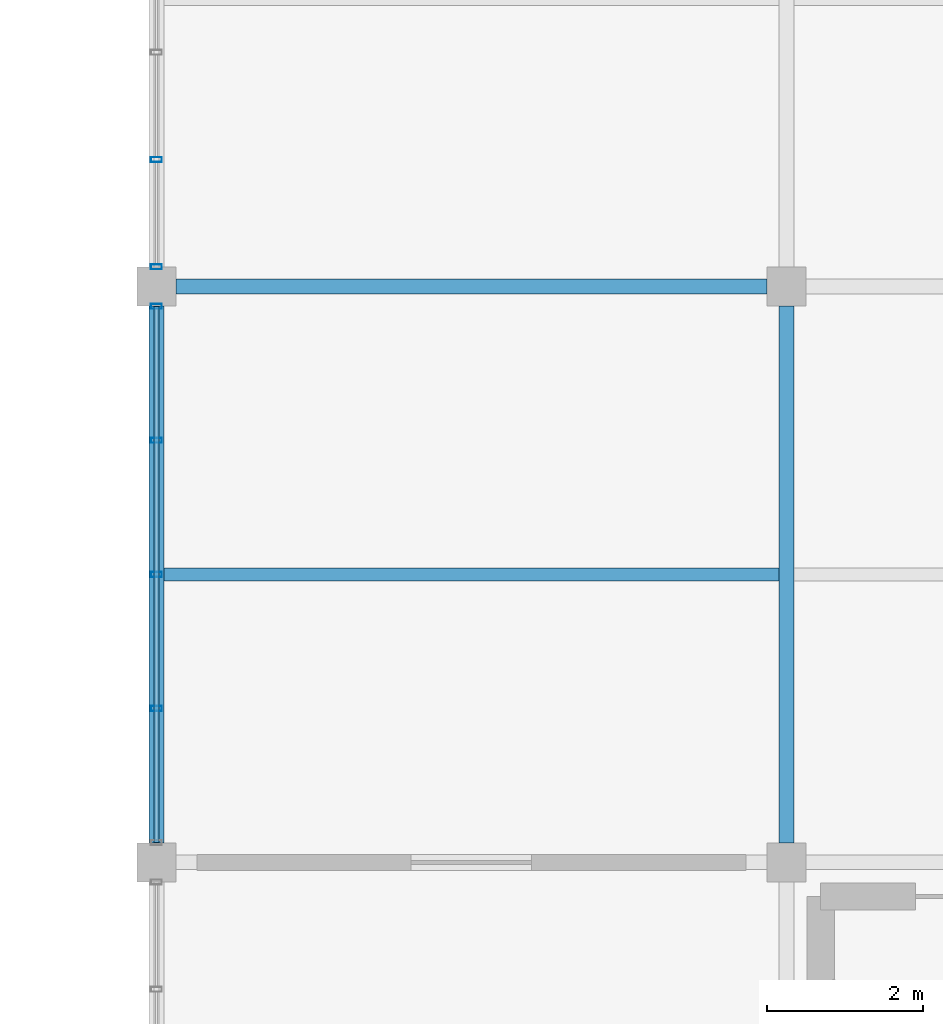
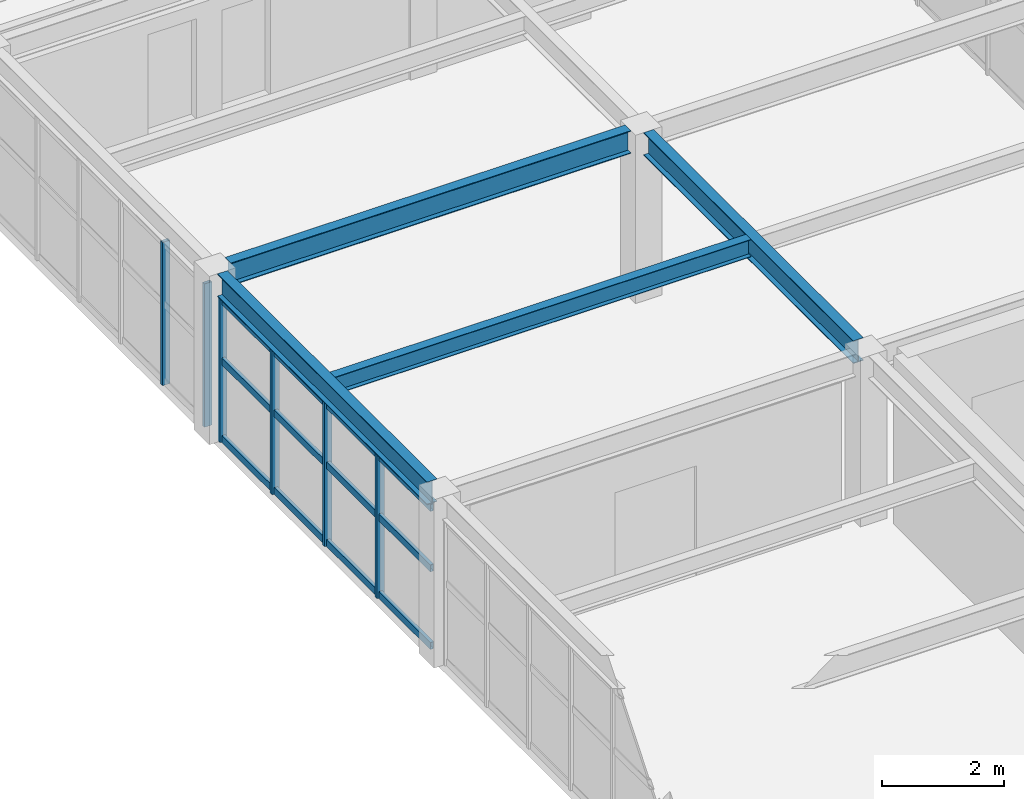
# One storey, part 52 of 93: 9 members, 4 beams, 2 elements without a shape of their own.
"""IFC4 building model written with IfcOpenShell, lengths in metres."""

import ifcopenshell
import ifcopenshell.guid

model = None  # the IFC model being written
_history = None  # IfcOwnerHistory: only IFC2X3 demands one
_inside = {}  # id of a spatial element -> (the spatial element, [elements in it])
_under = {}  # id of a project, library or spatial element -> (it, [spatial elements below it])
_declared = {}  # id of a project -> (the project, [libraries it declares])
_typed = {}  # id of a type object -> (the type object, [elements of that type])
_made_of = {}  # id of a material, layer set ... -> (it, [elements and type objects made of it])


def new_model(schema):
    """Start an empty IFC model of exactly this schema.

    Asked for "IFC4X3", IfcOpenShell would pick the latest addendum, in which some entities
    have other attributes; the version numbers below select the first issue.
    IFC2X3 requires an IfcOwnerHistory on every rooted entity: one is made here for all.
    """
    global model, _history
    if schema == "IFC4X3":
        model = ifcopenshell.file(schema_version=(4, 3, 0, 0))
    else:
        model = ifcopenshell.file(schema=schema)
    _inside.clear()
    _under.clear()
    _declared.clear()
    _typed.clear()
    _made_of.clear()
    _history = None
    if model.schema == "IFC2X3":
        org = make("IfcOrganization", Name="unknown")
        user = make(
            "IfcPersonAndOrganization",
            ThePerson=make("IfcPerson", FamilyName="unknown"),
            TheOrganization=org,
        )
        app = make(
            "IfcApplication",
            ApplicationDeveloper=org,
            Version="unknown",
            ApplicationFullName="unknown",
            ApplicationIdentifier="unknown",
        )
        _history = make(
            "IfcOwnerHistory",
            OwningUser=user,
            OwningApplication=app,
            ChangeAction="ADDED",
            CreationDate=0,
        )
    return model


def make(cls, **values):
    """One entity of the class cls with the attributes given. An attribute that is None is left unset."""
    return model.create_entity(
        cls, **{name: value for name, value in values.items() if value is not None}
    )


def rooted(cls, **values):
    """An entity with a GlobalId (a new one), such as an element, a storey or a relation."""
    return make(cls, GlobalId=ifcopenshell.guid.new(), OwnerHistory=_history, **values)


def si_unit(unit_type, name, prefix=None):
    """IfcSIUnit, for example si_unit("LENGTHUNIT", "METRE", prefix="MILLI")."""
    return make("IfcSIUnit", UnitType=unit_type, Prefix=prefix, Name=name)


def assignment(units):
    """IfcUnitAssignment: the units of a project."""
    return None if units is None else make("IfcUnitAssignment", Units=units)


def point(xyz):
    """IfcCartesianPoint."""
    return None if xyz is None else make("IfcCartesianPoint", Coordinates=xyz)


def direction(xyz):
    """IfcDirection."""
    return None if xyz is None else make("IfcDirection", DirectionRatios=xyz)


def frame(location, z_axis=None, x_axis=None):
    """IfcAxis2Placement3D, a coordinate frame: its origin and axes. An axis left out is left unset."""
    return make(
        "IfcAxis2Placement3D",
        Location=point(location),
        Axis=direction(z_axis),
        RefDirection=direction(x_axis),
    )


def frame_2d(location, x_axis=None):
    """IfcAxis2Placement2D, a coordinate frame in the plane: its origin and x axis."""
    return make(
        "IfcAxis2Placement2D", Location=point(location), RefDirection=direction(x_axis)
    )


def origin():
    """The frame at (0, 0, 0) with its axes left unset."""
    return frame((0.0, 0.0, 0.0))


def origin_2d():
    """The frame at (0, 0) in the plane with its x axis left unset."""
    return frame_2d((0.0, 0.0))


def place(relative_to, where):
    """IfcLocalPlacement: puts the frame where relative to a parent placement (None: the world)."""
    return make(
        "IfcLocalPlacement", PlacementRelTo=relative_to, RelativePlacement=where
    )


def context(
    kind, dimensions, precision=None, world=None, true_north=None, identifier=None
):
    """IfcGeometricRepresentationContext, for example the 3D "Model" context."""
    return make(
        "IfcGeometricRepresentationContext",
        ContextIdentifier=identifier,
        ContextType=kind,
        CoordinateSpaceDimension=dimensions,
        Precision=precision,
        WorldCoordinateSystem=world,
        TrueNorth=true_north,
    )


def subcontext(parent, identifier, kind, view, scale=None):
    """IfcGeometricRepresentationSubContext, for example "Body" below "Model"."""
    return make(
        "IfcGeometricRepresentationSubContext",
        ContextIdentifier=identifier,
        ContextType=kind,
        ParentContext=parent,
        TargetScale=scale,
        TargetView=view,
    )


def project(units=None, contexts=None):
    """IfcProject with its units and contexts."""
    return rooted(
        "IfcProject",
        Name="project",
        RepresentationContexts=contexts,
        UnitsInContext=assignment(units),
    )


def spatial(cls, under=None, at=None, **own):
    """A site, building, storey or space (cls), placed at a placement, below another one or the project."""
    s = rooted(cls, ObjectPlacement=at, **own)
    if under is not None:
        _under.setdefault(under.id(), (under, []))[1].append(s)
    return s


def profile(cls, at=None, kind="AREA", **sizes):
    """A parametric profile (cls). Its sizes go by their IFC names, for example OverallWidth=200.0."""
    return make(cls, ProfileType=kind, Position=at, **sizes)


def hollow_rectangle(**sizes):
    """IfcRectangleHollowProfileDef."""
    return profile("IfcRectangleHollowProfileDef", **sizes)


def i_section(**sizes):
    """IfcIShapeProfileDef."""
    return profile("IfcIShapeProfileDef", **sizes)


def extrude(swept, where, along, depth):
    """IfcExtrudedAreaSolid: the profile swept, set in the frame where, extruded along a direction by depth."""
    return make(
        "IfcExtrudedAreaSolid",
        SweptArea=swept,
        Position=where,
        ExtrudedDirection=direction(along),
        Depth=depth,
    )


def shape(context_of_items, identifier, shape_type, items):
    """IfcShapeRepresentation: the items that make up one representation, for example the "Body"."""
    return make(
        "IfcShapeRepresentation",
        ContextOfItems=context_of_items,
        RepresentationIdentifier=identifier,
        RepresentationType=shape_type,
        Items=items,
    )


def material(Name=None, Category=None):
    """IfcMaterial."""
    return make("IfcMaterial", Name=Name, Category=Category)


def material_profile(
    of_material, cross_section, Name=None, Category=None, Priority=None
):
    """IfcMaterialProfile: a cross section and its material."""
    return make(
        "IfcMaterialProfile",
        Name=Name,
        Material=of_material,
        Profile=cross_section,
        Priority=Priority,
        Category=Category,
    )


def profile_set(profiles, Name=None, composite=None):
    """IfcMaterialProfileSet."""
    return make(
        "IfcMaterialProfileSet",
        Name=Name,
        MaterialProfiles=profiles,
        CompositeProfile=composite,
    )


def made_of(thing, what):
    """Note that an element or type object is made of a material, layer set ...; save() writes the relation."""
    if what is not None:
        _made_of.setdefault(what.id(), (what, []))[1].append(thing)
    return thing


def type_object(cls, material=None, **own):
    """A type object (cls), such as IfcWallType, which elements share."""
    return made_of(rooted(cls, **own), material)


def element(
    cls,
    number,
    at=None,
    inside=None,
    cuts=None,
    type_object=None,
    material=None,
    context=None,
    identifier="Body",
    shape_type=None,
    held_by="IfcProductDefinitionShape",
    body=None,
    shapes=None,
    **own,
):
    """One element of the class cls, such as IfcWall. Its Tag is "e" and its number.

    at: its placement. inside: the storey or other place that contains it. cuts: it is an
    opening in that element (IfcRelVoidsElement). A single representation is given by context,
    identifier, shape_type and body (its items); several are given by shapes. held_by: the class
    of the entity that holds the representations. save() writes the other relations.
    """
    e = rooted(cls, Tag="e%d" % number, ObjectPlacement=at, **own)
    if body is not None:
        shapes = [shape(context, identifier, shape_type, body)]
    if shapes is not None:
        e.Representation = make(held_by, Representations=shapes)
    if inside is not None:
        _inside.setdefault(inside.id(), (inside, []))[1].append(e)
    if cuts is not None:
        rooted(
            "IfcRelVoidsElement", RelatingBuildingElement=cuts, RelatedOpeningElement=e
        )
    if type_object is not None:
        _typed.setdefault(type_object.id(), (type_object, []))[1].append(e)
    return made_of(e, material)


def aggregate(whole, parts):
    """IfcRelAggregates: a whole, such as a stair, and the parts it consists of."""
    return rooted("IfcRelAggregates", RelatingObject=whole, RelatedObjects=parts)


def save(model, path):
    """Write the relations noted so far, then the file.

    IfcRelAggregates (storeys below a building ...), IfcRelContainedInSpatialStructure (elements
    in a storey), IfcRelDefinesByType, IfcRelAssociatesMaterial and IfcRelDeclares: one each for
    every whole, place, type object, material and project.
    """
    for whole, parts in _under.values():
        aggregate(whole, parts)
    for where, things in _inside.values():
        rooted(
            "IfcRelContainedInSpatialStructure",
            RelatedElements=things,
            RelatingStructure=where,
        )
    for kind, things in _typed.values():
        rooted("IfcRelDefinesByType", RelatedObjects=things, RelatingType=kind)
    for what, things in _made_of.values():
        rooted("IfcRelAssociatesMaterial", RelatedObjects=things, RelatingMaterial=what)
    for by, libraries in _declared.values():
        rooted("IfcRelDeclares", RelatingContext=by, RelatedDefinitions=libraries)
    model.write(path)


model = new_model("IFC4")

# Units and contexts
model_context = context("Model", 3, precision=1e-05, world=origin(), true_north=direction((0.0, 1.0)))
body_context = subcontext(model_context, "Body", "Model", "MODEL_VIEW")
ifc_project = project(units=[si_unit("LENGTHUNIT", "METRE"), si_unit("AREAUNIT", "SQUARE_METRE"), si_unit("VOLUMEUNIT", "CUBIC_METRE"), si_unit("PLANEANGLEUNIT", "RADIAN"), si_unit("MASSUNIT", "GRAM", prefix="KILO")], contexts=[model_context])

# Site, building, storey
site_placement = place(None, origin())
site = spatial("IfcSite", under=ifc_project, at=site_placement, CompositionType="ELEMENT")
building_placement = place(site_placement, origin())
building = spatial("IfcBuilding", under=site, at=building_placement, Name="Cimatlan Art Gallery", CompositionType="ELEMENT")
storey_placement = place(building_placement, frame((0.0, 0.0, 13.800048828125)))
storey = spatial("IfcBuildingStorey", under=building, at=storey_placement, Name="L03", CompositionType="ELEMENT", Elevation=13.800048828125)

# Beams
ifc_material_1 = material(Name="Steel ASTM A992 Grade 50", Category="steel")
ifc_material_profile_1 = material_profile(ifc_material_1, i_section(OverallWidth=0.1708984375, OverallDepth=0.35107421875, WebThickness=0.0068359375, FlangeThickness=0.009765625, at=origin_2d()), Name="W14X30")
ifc_profile_set_1 = profile_set([ifc_material_profile_1], Name="Steel ASTM A992 Grade 50")
beam_type_1 = type_object("IfcBeamType", Name="BM-STL-W14X30", PredefinedType="JOIST", material=ifc_profile_set_1)
beam_1_placement = place(storey_placement, frame((115.49560546875, 57.199951171875, 3.204345703125), z_axis=(1.0, 0.0, 0.0), x_axis=(0.0, 1.0, 0.0)))
element("IfcBeam", 1, at=beam_1_placement, inside=storey, type_object=beam_type_1, Name="JST-L03-14-07", PredefinedType="JOIST", context=body_context, shape_type="SweptSolid", body=[
    extrude(i_section(OverallWidth=0.1708984375, OverallDepth=0.35107421875, WebThickness=0.0068359375, FlangeThickness=0.009765625, at=origin_2d()), origin(), (0.0, 0.0, 1.0), 7.908935546875),
])
ifc_material_profile_2 = material_profile(ifc_material_1, i_section(OverallWidth=0.19091796875, OverallDepth=0.45703125, WebThickness=0.009033203125, FlangeThickness=0.014404296875, at=origin_2d()), Name="W18X50")
ifc_profile_set_2 = profile_set([ifc_material_profile_2], Name="Steel ASTM A992 Grade 50")
beam_type_2 = type_object("IfcBeamType", Name="BM-STL-W18X50", PredefinedType="BEAM", material=ifc_profile_set_2)
for number, where, z_axis, x_axis, name in (
    (2, (115.39990234375, 53.75, 3.1513671875), (0.0, 1.0, 0.0), (-1.0, 0.0, 0.0), "BM-Y-L03-14-07"),
    (3, (123.5, 53.75, 3.1513671875), (0.0, 1.0, 0.0), (-1.0, 0.0, 0.0), "BM-Y-L03-15-07"),
):
    element("IfcBeam", number, at=place(storey_placement, frame(where, z_axis=z_axis, x_axis=x_axis)), inside=storey, type_object=beam_type_2, Name=name, PredefinedType="BEAM", context=body_context, shape_type="SweptSolid", body=[
        extrude(i_section(OverallWidth=0.19091796875, OverallDepth=0.45703125, WebThickness=0.009033203125, FlangeThickness=0.014404296875, at=origin_2d()), origin(), (0.0, 0.0, 1.0), 6.89990234375),
    ])
beam_2_placement = place(storey_placement, frame((115.64990234375, 60.89990234375, 3.1513671875), z_axis=(1.0, 0.0, 0.0), x_axis=(0.0, 1.0, 0.0)))
element("IfcBeam", 4, at=beam_2_placement, inside=storey, type_object=beam_type_2, Name="BM-X-L03-14-08", PredefinedType="BEAM", context=body_context, shape_type="SweptSolid", body=[
    extrude(i_section(OverallWidth=0.19091796875, OverallDepth=0.45703125, WebThickness=0.009033203125, FlangeThickness=0.014404296875, at=origin_2d()), origin(), (0.0, 0.0, 1.0), 7.60009765625),
])

# Curtain wall, members
ifc_material_2 = material(Name="Anodised bronze unitised curtain wall")
curtain_wall_type_1 = type_object("IfcCurtainWallType", Name="CW-V-06892X02893-B4", PredefinedType="NOTDEFINED", material=ifc_material_2)
curtain_wall_1_placement = place(storey_placement, origin())
curtain_wall_1 = element("IfcCurtainWall", 5, at=curtain_wall_1_placement, inside=storey, type_object=curtain_wall_type_1, Name="CW-L03-14-07-W", PredefinedType="NOTDEFINED")
ifc_material_3 = material(Name="Anodised bronze aluminium 6063-T6", Category="aluminium")
ifc_material_profile_3 = material_profile(ifc_material_3, hollow_rectangle(XDim=0.06494140625, YDim=0.139892578125, WallThickness=0.00390625, at=origin_2d()), Name="ALU65X140X4")
ifc_profile_set_3 = profile_set([ifc_material_profile_3], Name="Anodised bronze aluminium 6063-T6")
member_type_1 = type_object("IfcMemberType", Name="CW-MUL-140", PredefinedType="MULLION", material=ifc_profile_set_3)
member_1_placement = place(storey_placement, frame((115.39990234375, 55.47705078125, 0.0), z_axis=(0.0, 0.0, 1.0), x_axis=(0.0, 1.0, 0.0)))
member_1 = element("IfcMember", 6, at=member_1_placement, type_object=member_type_1, Name="CW-L03-14-07-W-M2", PredefinedType="MULLION", context=body_context, shape_type="SweptSolid", body=[
    extrude(hollow_rectangle(XDim=0.06494140625, YDim=0.139892578125, WallThickness=0.00390625, at=origin_2d()), origin(), (0.0, 0.0, 1.0), 2.89306640625),
])
member_2_placement = place(storey_placement, frame((115.39990234375, 57.199951171875, 0.0), z_axis=(0.0, 0.0, 1.0), x_axis=(0.0, 1.0, 0.0)))
member_2 = element("IfcMember", 7, at=member_2_placement, type_object=member_type_1, Name="CW-L03-14-07-W-M3", PredefinedType="MULLION", context=body_context, shape_type="SweptSolid", body=[
    extrude(hollow_rectangle(XDim=0.06494140625, YDim=0.139892578125, WallThickness=0.00390625, at=origin_2d()), origin(), (0.0, 0.0, 1.0), 2.89306640625),
])
member_3_placement = place(storey_placement, frame((115.39990234375, 58.923095703125, 0.0), z_axis=(0.0, 0.0, 1.0), x_axis=(0.0, 1.0, 0.0)))
member_3 = element("IfcMember", 8, at=member_3_placement, type_object=member_type_1, Name="CW-L03-14-07-W-M4", PredefinedType="MULLION", context=body_context, shape_type="SweptSolid", body=[
    extrude(hollow_rectangle(XDim=0.06494140625, YDim=0.139892578125, WallThickness=0.00390625, at=origin_2d()), origin(), (0.0, 0.0, 1.0), 2.89306640625),
])
member_4_placement = place(storey_placement, frame((115.39990234375, 60.64599609375, 0.0), z_axis=(0.0, 0.0, 1.0), x_axis=(0.0, 1.0, 0.0)))
member_4 = element("IfcMember", 9, at=member_4_placement, type_object=member_type_1, Name="CW-L03-14-07-W-M5", PredefinedType="MULLION", context=body_context, shape_type="SweptSolid", body=[
    extrude(hollow_rectangle(XDim=0.06494140625, YDim=0.139892578125, WallThickness=0.00390625, at=origin_2d()), origin(), (0.0, 0.0, 1.0), 2.89306640625),
])

curtain_wall_type_2 = type_object("IfcCurtainWallType", Name="CW-V-06892X02878-B5", PredefinedType="NOTDEFINED", material=ifc_material_2)
curtain_wall_2_placement = place(storey_placement, origin())
curtain_wall_2 = element("IfcCurtainWall", 10, at=curtain_wall_2_placement, inside=storey, type_object=curtain_wall_type_2, Name="CW-L03-14-08-W", PredefinedType="NOTDEFINED")
member_5_placement = place(storey_placement, frame((115.39990234375, 61.154052734375, 0.0), z_axis=(0.0, 0.0, 1.0), x_axis=(0.0, 1.0, 0.0)))
member_5 = element("IfcMember", 11, at=member_5_placement, type_object=member_type_1, Name="CW-L03-14-08-W-M1", PredefinedType="MULLION", context=body_context, shape_type="SweptSolid", body=[
    extrude(hollow_rectangle(XDim=0.06494140625, YDim=0.139892578125, WallThickness=0.00390625, at=origin_2d()), origin(), (0.0, 0.0, 1.0), 2.8779296875),
])
member_6_placement = place(storey_placement, frame((115.39990234375, 62.532470703125, 0.0), z_axis=(0.0, 0.0, 1.0), x_axis=(0.0, 1.0, 0.0)))
member_6 = element("IfcMember", 12, at=member_6_placement, type_object=member_type_1, Name="CW-L03-14-08-W-M2", PredefinedType="MULLION", context=body_context, shape_type="SweptSolid", body=[
    extrude(hollow_rectangle(XDim=0.06494140625, YDim=0.139892578125, WallThickness=0.00390625, at=origin_2d()), origin(), (0.0, 0.0, 1.0), 2.8779296875),
])
aggregate(curtain_wall_2, [member_5, member_6])

# Member
ifc_material_profile_4 = material_profile(ifc_material_3, hollow_rectangle(XDim=0.06494140625, YDim=0.139892578125, WallThickness=0.00390625, at=origin_2d()), Name="ALU65X140X4")
ifc_profile_set_4 = profile_set([ifc_material_profile_4], Name="Anodised bronze aluminium 6063-T6")
member_type_2 = type_object("IfcMemberType", Name="CW-TRN-140", PredefinedType="USERDEFINED", material=ifc_profile_set_4)
member_7_placement = place(storey_placement, frame((115.39990234375, 53.75390625, 0.06005859375), z_axis=(0.0, 1.0, 0.0), x_axis=(-1.0, 0.0, 0.0)))
member_7 = element("IfcMember", 13, at=member_7_placement, type_object=member_type_2, Name="CW-L03-14-07-W-T1", ObjectType="TRANSOM", PredefinedType="USERDEFINED", context=body_context, shape_type="SweptSolid", body=[
    extrude(hollow_rectangle(XDim=0.06494140625, YDim=0.139892578125, WallThickness=0.00390625, at=origin_2d()), origin(), (0.0, 0.0, 1.0), 6.89208984375),
])

member_8_placement = place(storey_placement, frame((115.39990234375, 53.75390625, 1.6201171875), z_axis=(0.0, 1.0, 0.0), x_axis=(-1.0, 0.0, 0.0)))
member_8 = element("IfcMember", 14, at=member_8_placement, type_object=member_type_2, Name="CW-L03-14-07-W-T2", ObjectType="TRANSOM", PredefinedType="USERDEFINED", context=body_context, shape_type="SweptSolid", body=[
    extrude(hollow_rectangle(XDim=0.06494140625, YDim=0.139892578125, WallThickness=0.00390625, at=origin_2d()), origin(), (0.0, 0.0, 1.0), 6.89208984375),
])

member_9_placement = place(storey_placement, frame((115.39990234375, 53.75390625, 2.8330078125), z_axis=(0.0, 1.0, 0.0), x_axis=(-1.0, 0.0, 0.0)))
member_9 = element("IfcMember", 15, at=member_9_placement, type_object=member_type_2, Name="CW-L03-14-07-W-T3", ObjectType="TRANSOM", PredefinedType="USERDEFINED", context=body_context, shape_type="SweptSolid", body=[
    extrude(hollow_rectangle(XDim=0.06494140625, YDim=0.139892578125, WallThickness=0.00390625, at=origin_2d()), origin(), (0.0, 0.0, 1.0), 6.89208984375),
])

aggregate(curtain_wall_1, [member_1, member_2, member_3, member_4, member_7, member_8, member_9])

save(model, "model.ifc")
